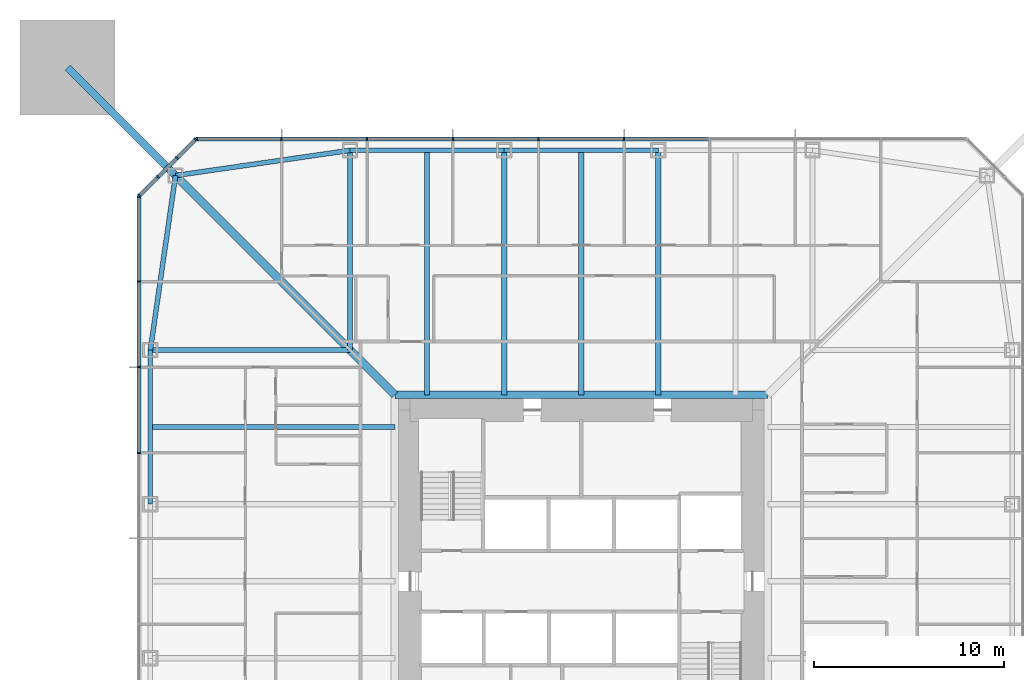
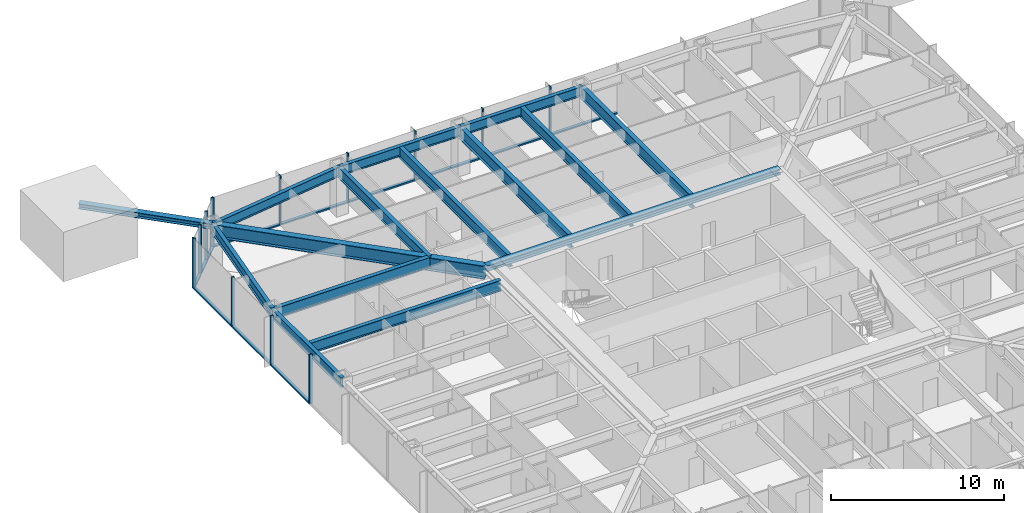
# One storey, part 6 of 26: 27 members, 14 beams, 3 elements without a shape of their own.
"""IFC4 building model written with IfcOpenShell, lengths in metres."""

import ifcopenshell
import ifcopenshell.guid

model = None  # the IFC model being written
_history = None  # IfcOwnerHistory: only IFC2X3 demands one
_inside = {}  # id of a spatial element -> (the spatial element, [elements in it])
_under = {}  # id of a project, library or spatial element -> (it, [spatial elements below it])
_declared = {}  # id of a project -> (the project, [libraries it declares])
_typed = {}  # id of a type object -> (the type object, [elements of that type])
_made_of = {}  # id of a material, layer set ... -> (it, [elements and type objects made of it])


def new_model(schema):
    """Start an empty IFC model of exactly this schema.

    Asked for "IFC4X3", IfcOpenShell would pick the latest addendum, in which some entities
    have other attributes; the version numbers below select the first issue.
    IFC2X3 requires an IfcOwnerHistory on every rooted entity: one is made here for all.
    """
    global model, _history
    if schema == "IFC4X3":
        model = ifcopenshell.file(schema_version=(4, 3, 0, 0))
    else:
        model = ifcopenshell.file(schema=schema)
    _inside.clear()
    _under.clear()
    _declared.clear()
    _typed.clear()
    _made_of.clear()
    _history = None
    if model.schema == "IFC2X3":
        org = make("IfcOrganization", Name="unknown")
        user = make(
            "IfcPersonAndOrganization",
            ThePerson=make("IfcPerson", FamilyName="unknown"),
            TheOrganization=org,
        )
        app = make(
            "IfcApplication",
            ApplicationDeveloper=org,
            Version="unknown",
            ApplicationFullName="unknown",
            ApplicationIdentifier="unknown",
        )
        _history = make(
            "IfcOwnerHistory",
            OwningUser=user,
            OwningApplication=app,
            ChangeAction="ADDED",
            CreationDate=0,
        )
    return model


def make(cls, **values):
    """One entity of the class cls with the attributes given. An attribute that is None is left unset."""
    return model.create_entity(
        cls, **{name: value for name, value in values.items() if value is not None}
    )


def rooted(cls, **values):
    """An entity with a GlobalId (a new one), such as an element, a storey or a relation."""
    return make(cls, GlobalId=ifcopenshell.guid.new(), OwnerHistory=_history, **values)


def si_unit(unit_type, name, prefix=None):
    """IfcSIUnit, for example si_unit("LENGTHUNIT", "METRE", prefix="MILLI")."""
    return make("IfcSIUnit", UnitType=unit_type, Prefix=prefix, Name=name)


def assignment(units):
    """IfcUnitAssignment: the units of a project."""
    return None if units is None else make("IfcUnitAssignment", Units=units)


def point(xyz):
    """IfcCartesianPoint."""
    return None if xyz is None else make("IfcCartesianPoint", Coordinates=xyz)


def direction(xyz):
    """IfcDirection."""
    return None if xyz is None else make("IfcDirection", DirectionRatios=xyz)


def frame(location, z_axis=None, x_axis=None):
    """IfcAxis2Placement3D, a coordinate frame: its origin and axes. An axis left out is left unset."""
    return make(
        "IfcAxis2Placement3D",
        Location=point(location),
        Axis=direction(z_axis),
        RefDirection=direction(x_axis),
    )


def frame_2d(location, x_axis=None):
    """IfcAxis2Placement2D, a coordinate frame in the plane: its origin and x axis."""
    return make(
        "IfcAxis2Placement2D", Location=point(location), RefDirection=direction(x_axis)
    )


def origin():
    """The frame at (0, 0, 0) with its axes left unset."""
    return frame((0.0, 0.0, 0.0))


def origin_2d():
    """The frame at (0, 0) in the plane with its x axis left unset."""
    return frame_2d((0.0, 0.0))


def place(relative_to, where):
    """IfcLocalPlacement: puts the frame where relative to a parent placement (None: the world)."""
    return make(
        "IfcLocalPlacement", PlacementRelTo=relative_to, RelativePlacement=where
    )


def context(
    kind, dimensions, precision=None, world=None, true_north=None, identifier=None
):
    """IfcGeometricRepresentationContext, for example the 3D "Model" context."""
    return make(
        "IfcGeometricRepresentationContext",
        ContextIdentifier=identifier,
        ContextType=kind,
        CoordinateSpaceDimension=dimensions,
        Precision=precision,
        WorldCoordinateSystem=world,
        TrueNorth=true_north,
    )


def subcontext(parent, identifier, kind, view, scale=None):
    """IfcGeometricRepresentationSubContext, for example "Body" below "Model"."""
    return make(
        "IfcGeometricRepresentationSubContext",
        ContextIdentifier=identifier,
        ContextType=kind,
        ParentContext=parent,
        TargetScale=scale,
        TargetView=view,
    )


def project(units=None, contexts=None):
    """IfcProject with its units and contexts."""
    return rooted(
        "IfcProject",
        Name="project",
        RepresentationContexts=contexts,
        UnitsInContext=assignment(units),
    )


def spatial(cls, under=None, at=None, **own):
    """A site, building, storey or space (cls), placed at a placement, below another one or the project."""
    s = rooted(cls, ObjectPlacement=at, **own)
    if under is not None:
        _under.setdefault(under.id(), (under, []))[1].append(s)
    return s


def profile(cls, at=None, kind="AREA", **sizes):
    """A parametric profile (cls). Its sizes go by their IFC names, for example OverallWidth=200.0."""
    return make(cls, ProfileType=kind, Position=at, **sizes)


def rectangle(**sizes):
    """IfcRectangleProfileDef."""
    return profile("IfcRectangleProfileDef", **sizes)


def i_section(**sizes):
    """IfcIShapeProfileDef."""
    return profile("IfcIShapeProfileDef", **sizes)


def extrude(swept, where, along, depth):
    """IfcExtrudedAreaSolid: the profile swept, set in the frame where, extruded along a direction by depth."""
    return make(
        "IfcExtrudedAreaSolid",
        SweptArea=swept,
        Position=where,
        ExtrudedDirection=direction(along),
        Depth=depth,
    )


def shape(context_of_items, identifier, shape_type, items):
    """IfcShapeRepresentation: the items that make up one representation, for example the "Body"."""
    return make(
        "IfcShapeRepresentation",
        ContextOfItems=context_of_items,
        RepresentationIdentifier=identifier,
        RepresentationType=shape_type,
        Items=items,
    )


def material(Name=None, Category=None):
    """IfcMaterial."""
    return make("IfcMaterial", Name=Name, Category=Category)


def material_profile(
    of_material, cross_section, Name=None, Category=None, Priority=None
):
    """IfcMaterialProfile: a cross section and its material."""
    return make(
        "IfcMaterialProfile",
        Name=Name,
        Material=of_material,
        Profile=cross_section,
        Priority=Priority,
        Category=Category,
    )


def profile_set(profiles, Name=None, composite=None):
    """IfcMaterialProfileSet."""
    return make(
        "IfcMaterialProfileSet",
        Name=Name,
        MaterialProfiles=profiles,
        CompositeProfile=composite,
    )


def made_of(thing, what):
    """Note that an element or type object is made of a material, layer set ...; save() writes the relation."""
    if what is not None:
        _made_of.setdefault(what.id(), (what, []))[1].append(thing)
    return thing


def type_object(cls, material=None, **own):
    """A type object (cls), such as IfcWallType, which elements share."""
    return made_of(rooted(cls, **own), material)


def element(
    cls,
    number,
    at=None,
    inside=None,
    cuts=None,
    type_object=None,
    material=None,
    context=None,
    identifier="Body",
    shape_type=None,
    held_by="IfcProductDefinitionShape",
    body=None,
    shapes=None,
    **own,
):
    """One element of the class cls, such as IfcWall. Its Tag is "e" and its number.

    at: its placement. inside: the storey or other place that contains it. cuts: it is an
    opening in that element (IfcRelVoidsElement). A single representation is given by context,
    identifier, shape_type and body (its items); several are given by shapes. held_by: the class
    of the entity that holds the representations. save() writes the other relations.
    """
    e = rooted(cls, Tag="e%d" % number, ObjectPlacement=at, **own)
    if body is not None:
        shapes = [shape(context, identifier, shape_type, body)]
    if shapes is not None:
        e.Representation = make(held_by, Representations=shapes)
    if inside is not None:
        _inside.setdefault(inside.id(), (inside, []))[1].append(e)
    if cuts is not None:
        rooted(
            "IfcRelVoidsElement", RelatingBuildingElement=cuts, RelatedOpeningElement=e
        )
    if type_object is not None:
        _typed.setdefault(type_object.id(), (type_object, []))[1].append(e)
    return made_of(e, material)


def aggregate(whole, parts):
    """IfcRelAggregates: a whole, such as a stair, and the parts it consists of."""
    return rooted("IfcRelAggregates", RelatingObject=whole, RelatedObjects=parts)


def save(model, path):
    """Write the relations noted so far, then the file.

    IfcRelAggregates (storeys below a building ...), IfcRelContainedInSpatialStructure (elements
    in a storey), IfcRelDefinesByType, IfcRelAssociatesMaterial and IfcRelDeclares: one each for
    every whole, place, type object, material and project.
    """
    for whole, parts in _under.values():
        aggregate(whole, parts)
    for where, things in _inside.values():
        rooted(
            "IfcRelContainedInSpatialStructure",
            RelatedElements=things,
            RelatingStructure=where,
        )
    for kind, things in _typed.values():
        rooted("IfcRelDefinesByType", RelatedObjects=things, RelatingType=kind)
    for what, things in _made_of.values():
        rooted("IfcRelAssociatesMaterial", RelatedObjects=things, RelatingMaterial=what)
    for by, libraries in _declared.values():
        rooted("IfcRelDeclares", RelatingContext=by, RelatedDefinitions=libraries)
    model.write(path)


model = new_model("IFC4")

# Units and contexts
model_context = context("Model", 3, precision=1e-05, world=origin(), true_north=direction((0.0, 1.0)))
body_context = subcontext(model_context, "Body", "Model", "MODEL_VIEW")
ifc_project = project(units=[si_unit("LENGTHUNIT", "METRE"), si_unit("AREAUNIT", "SQUARE_METRE"), si_unit("VOLUMEUNIT", "CUBIC_METRE"), si_unit("PLANEANGLEUNIT", "RADIAN"), si_unit("MASSUNIT", "GRAM", prefix="KILO")], contexts=[model_context])

# Site, building, storey
site_placement = place(None, origin())
site = spatial("IfcSite", under=ifc_project, at=site_placement, CompositionType="ELEMENT")
building_placement = place(site_placement, origin())
building = spatial("IfcBuilding", under=site, at=building_placement, Name="Iwan Alto Co-Living Towers", CompositionType="ELEMENT")
storey_placement = place(building_placement, frame((0.0, 0.0, 36.0)))
storey = spatial("IfcBuildingStorey", under=building, at=storey_placement, Name="L09", CompositionType="ELEMENT", Elevation=36.0)

# Curtain wall, members
ifc_material_1 = material(Name="Bronze aluminium unitised frame", Category="aluminium")
curtain_wall_type_1 = type_object("IfcCurtainWallType", Name="CURTAIN WALL CW-A", PredefinedType="NOTDEFINED", material=ifc_material_1)
curtain_wall_1_placement = place(storey_placement, origin())
curtain_wall_1 = element("IfcCurtainWall", 1, at=curtain_wall_1_placement, inside=storey, type_object=curtain_wall_type_1, Name="T1 curtain wall N L09", PredefinedType="NOTDEFINED")
ifc_material_2 = material(Name="Aluminium 6063-T6 bronze anodised", Category="aluminium")
ifc_material_profile_1 = material_profile(ifc_material_2, rectangle(XDim=0.199951171875, YDim=0.080078125, at=origin_2d()), Name="AL 80X200")
ifc_profile_set_1 = profile_set([ifc_material_profile_1], Name="Aluminium 6063-T6 bronze anodised")
member_type_1 = type_object("IfcMemberType", Name="CW-A MULLION 80X200", PredefinedType="MULLION", material=ifc_profile_set_1)
member_1_placement = place(storey_placement, frame((2.25, 23.25, 0.0), z_axis=(0.0, 0.0, 1.0), x_axis=(0.0, -1.0, 0.0)))
member_1 = element("IfcMember", 2, at=member_1_placement, type_object=member_type_1, Name="CW-A mullion 5", PredefinedType="MULLION", context=body_context, shape_type="SweptSolid", body=[
    extrude(rectangle(XDim=0.199951171875, YDim=0.080078125, at=origin_2d()), origin(), (0.0, 0.0, 1.0), 3.5),
])
member_2_placement = place(storey_placement, frame((-2.25, 23.25, 0.0), z_axis=(0.0, 0.0, 1.0), x_axis=(0.0, -1.0, 0.0)))
member_2 = element("IfcMember", 3, at=member_2_placement, type_object=member_type_1, Name="CW-A mullion 6", PredefinedType="MULLION", context=body_context, shape_type="SweptSolid", body=[
    extrude(rectangle(XDim=0.199951171875, YDim=0.080078125, at=origin_2d()), origin(), (0.0, 0.0, 1.0), 3.5),
])
member_3_placement = place(storey_placement, frame((-6.75, 23.25, 0.0), z_axis=(0.0, 0.0, 1.0), x_axis=(0.0, -1.0, 0.0)))
member_3 = element("IfcMember", 4, at=member_3_placement, type_object=member_type_1, Name="CW-A mullion 7", PredefinedType="MULLION", context=body_context, shape_type="SweptSolid", body=[
    extrude(rectangle(XDim=0.199951171875, YDim=0.080078125, at=origin_2d()), origin(), (0.0, 0.0, 1.0), 3.5),
])
member_4_placement = place(storey_placement, frame((-11.25, 23.25, 0.0), z_axis=(0.0, 0.0, 1.0), x_axis=(0.0, -1.0, 0.0)))
member_4 = element("IfcMember", 5, at=member_4_placement, type_object=member_type_1, Name="CW-A mullion 8", PredefinedType="MULLION", context=body_context, shape_type="SweptSolid", body=[
    extrude(rectangle(XDim=0.199951171875, YDim=0.080078125, at=origin_2d()), origin(), (0.0, 0.0, 1.0), 3.5),
])
member_5_placement = place(storey_placement, frame((-15.75, 23.25, 0.0), z_axis=(0.0, 0.0, 1.0), x_axis=(0.0, -1.0, 0.0)))
member_5 = element("IfcMember", 6, at=member_5_placement, type_object=member_type_1, Name="CW-A mullion 9", PredefinedType="MULLION", context=body_context, shape_type="SweptSolid", body=[
    extrude(rectangle(XDim=0.199951171875, YDim=0.080078125, at=origin_2d()), origin(), (0.0, 0.0, 1.0), 3.5),
])
member_6_placement = place(storey_placement, frame((-20.2099609375, 23.25, 0.0), z_axis=(0.0, 0.0, 1.0), x_axis=(0.0, -1.0, 0.0)))
member_6 = element("IfcMember", 7, at=member_6_placement, type_object=member_type_1, Name="CW-A mullion 10", PredefinedType="MULLION", context=body_context, shape_type="SweptSolid", body=[
    extrude(rectangle(XDim=0.199951171875, YDim=0.080078125, at=origin_2d()), origin(), (0.0, 0.0, 1.0), 3.5),
])

curtain_wall_2_placement = place(storey_placement, origin())
curtain_wall_2 = element("IfcCurtainWall", 8, at=curtain_wall_2_placement, inside=storey, type_object=curtain_wall_type_1, Name="T1 curtain wall W L09", PredefinedType="NOTDEFINED")
member_7_placement = place(storey_placement, frame((-23.25, 20.2099609375, 0.0), z_axis=(0.0, 0.0, 1.0), x_axis=(1.0, 0.0, 0.0)))
member_7 = element("IfcMember", 9, at=member_7_placement, type_object=member_type_1, Name="CW-A mullion 1", PredefinedType="MULLION", context=body_context, shape_type="SweptSolid", body=[
    extrude(rectangle(XDim=0.199951171875, YDim=0.080078125, at=origin_2d()), origin(), (0.0, 0.0, 1.0), 3.5),
])
member_8_placement = place(storey_placement, frame((-23.25, 15.75, 0.0), z_axis=(0.0, 0.0, 1.0), x_axis=(1.0, 0.0, 0.0)))
member_8 = element("IfcMember", 10, at=member_8_placement, type_object=member_type_1, Name="CW-A mullion 2", PredefinedType="MULLION", context=body_context, shape_type="SweptSolid", body=[
    extrude(rectangle(XDim=0.199951171875, YDim=0.080078125, at=origin_2d()), origin(), (0.0, 0.0, 1.0), 3.5),
])
member_9_placement = place(storey_placement, frame((-23.25, 11.25, 0.0), z_axis=(0.0, 0.0, 1.0), x_axis=(1.0, 0.0, 0.0)))
member_9 = element("IfcMember", 11, at=member_9_placement, type_object=member_type_1, Name="CW-A mullion 3", PredefinedType="MULLION", context=body_context, shape_type="SweptSolid", body=[
    extrude(rectangle(XDim=0.199951171875, YDim=0.080078125, at=origin_2d()), origin(), (0.0, 0.0, 1.0), 3.5),
])
member_10_placement = place(storey_placement, frame((-23.25, 6.75, 0.0), z_axis=(0.0, 0.0, 1.0), x_axis=(1.0, 0.0, 0.0)))
member_10 = element("IfcMember", 12, at=member_10_placement, type_object=member_type_1, Name="CW-A mullion 4", PredefinedType="MULLION", context=body_context, shape_type="SweptSolid", body=[
    extrude(rectangle(XDim=0.199951171875, YDim=0.080078125, at=origin_2d()), origin(), (0.0, 0.0, 1.0), 3.5),
])

# Member
ifc_material_3 = material(Name="Aluminium 6063-T6 bronze anodised", Category="aluminium")
ifc_material_profile_2 = material_profile(ifc_material_3, rectangle(XDim=0.199951171875, YDim=0.10009765625, at=origin_2d()), Name="AL 200X100")
ifc_profile_set_2 = profile_set([ifc_material_profile_2], Name="Aluminium 6063-T6 bronze anodised")
member_type_2 = type_object("IfcMemberType", Name="CW-A TRANSOM 200X100", PredefinedType="USERDEFINED", material=ifc_profile_set_2)
member_11_placement = place(storey_placement, frame((6.7099609375, 23.25, 0.050048828125), z_axis=(-1.0, 0.0, 0.0), x_axis=(0.0, -1.0, 0.0)))
member_11 = element("IfcMember", 13, at=member_11_placement, type_object=member_type_2, Name="CW-A transom 4.1", ObjectType="TRANSOM", PredefinedType="USERDEFINED", context=body_context, shape_type="SweptSolid", body=[
    extrude(rectangle(XDim=0.199951171875, YDim=0.10009765625, at=origin_2d()), origin(), (0.0, 0.0, 1.0), 4.419921875),
])

member_12_placement = place(storey_placement, frame((2.2099609375, 23.25, 0.050048828125), z_axis=(-1.0, 0.0, 0.0), x_axis=(0.0, -1.0, 0.0)))
member_12 = element("IfcMember", 14, at=member_12_placement, type_object=member_type_2, Name="CW-A transom 5.1", ObjectType="TRANSOM", PredefinedType="USERDEFINED", context=body_context, shape_type="SweptSolid", body=[
    extrude(rectangle(XDim=0.199951171875, YDim=0.10009765625, at=origin_2d()), origin(), (0.0, 0.0, 1.0), 4.419921875),
])

member_13_placement = place(storey_placement, frame((-2.2900390625, 23.25, 0.050048828125), z_axis=(-1.0, 0.0, 0.0), x_axis=(0.0, -1.0, 0.0)))
member_13 = element("IfcMember", 15, at=member_13_placement, type_object=member_type_2, Name="CW-A transom 6.1", ObjectType="TRANSOM", PredefinedType="USERDEFINED", context=body_context, shape_type="SweptSolid", body=[
    extrude(rectangle(XDim=0.199951171875, YDim=0.10009765625, at=origin_2d()), origin(), (0.0, 0.0, 1.0), 4.419921875),
])

member_14_placement = place(storey_placement, frame((-6.7900390625, 23.25, 0.050048828125), z_axis=(-1.0, 0.0, 0.0), x_axis=(0.0, -1.0, 0.0)))
member_14 = element("IfcMember", 16, at=member_14_placement, type_object=member_type_2, Name="CW-A transom 7.1", ObjectType="TRANSOM", PredefinedType="USERDEFINED", context=body_context, shape_type="SweptSolid", body=[
    extrude(rectangle(XDim=0.199951171875, YDim=0.10009765625, at=origin_2d()), origin(), (0.0, 0.0, 1.0), 4.419921875),
])

member_15_placement = place(storey_placement, frame((-11.2900390625, 23.25, 0.050048828125), z_axis=(-1.0, 0.0, 0.0), x_axis=(0.0, -1.0, 0.0)))
member_15 = element("IfcMember", 17, at=member_15_placement, type_object=member_type_2, Name="CW-A transom 8.1", ObjectType="TRANSOM", PredefinedType="USERDEFINED", context=body_context, shape_type="SweptSolid", body=[
    extrude(rectangle(XDim=0.199951171875, YDim=0.10009765625, at=origin_2d()), origin(), (0.0, 0.0, 1.0), 4.419921875),
])

member_16_placement = place(storey_placement, frame((-15.7900390625, 23.25, 0.050048828125), z_axis=(-1.0, 0.0, 0.0), x_axis=(0.0, -1.0, 0.0)))
member_16 = element("IfcMember", 18, at=member_16_placement, type_object=member_type_2, Name="CW-A transom 9.1", ObjectType="TRANSOM", PredefinedType="USERDEFINED", context=body_context, shape_type="SweptSolid", body=[
    extrude(rectangle(XDim=0.199951171875, YDim=0.10009765625, at=origin_2d()), origin(), (0.0, 0.0, 1.0), 4.3798828125),
])

aggregate(curtain_wall_1, [member_1, member_2, member_3, member_4, member_5, member_6, member_11, member_12, member_13, member_14, member_15, member_16])

member_17_placement = place(storey_placement, frame((-23.25, 20.169921875, 0.050048828125), z_axis=(0.0, -1.0, 0.0), x_axis=(1.0, 0.0, 0.0)))
member_17 = element("IfcMember", 19, at=member_17_placement, type_object=member_type_2, Name="CW-A transom 1.1", ObjectType="TRANSOM", PredefinedType="USERDEFINED", context=body_context, shape_type="SweptSolid", body=[
    extrude(rectangle(XDim=0.199951171875, YDim=0.10009765625, at=origin_2d()), origin(), (0.0, 0.0, 1.0), 4.3798828125),
])

member_18_placement = place(storey_placement, frame((-23.25, 15.7099609375, 0.050048828125), z_axis=(0.0, -1.0, 0.0), x_axis=(1.0, 0.0, 0.0)))
member_18 = element("IfcMember", 20, at=member_18_placement, type_object=member_type_2, Name="CW-A transom 2.1", ObjectType="TRANSOM", PredefinedType="USERDEFINED", context=body_context, shape_type="SweptSolid", body=[
    extrude(rectangle(XDim=0.199951171875, YDim=0.10009765625, at=origin_2d()), origin(), (0.0, 0.0, 1.0), 4.419921875),
])

member_19_placement = place(storey_placement, frame((-23.25, 11.2099609375, 0.050048828125), z_axis=(0.0, -1.0, 0.0), x_axis=(1.0, 0.0, 0.0)))
member_19 = element("IfcMember", 21, at=member_19_placement, type_object=member_type_2, Name="CW-A transom 3.1", ObjectType="TRANSOM", PredefinedType="USERDEFINED", context=body_context, shape_type="SweptSolid", body=[
    extrude(rectangle(XDim=0.199951171875, YDim=0.10009765625, at=origin_2d()), origin(), (0.0, 0.0, 1.0), 4.419921875),
])

aggregate(curtain_wall_2, [member_7, member_8, member_9, member_10, member_17, member_18, member_19])

# Curtain wall, members
ifc_material_4 = material(Name="Bronze aluminium unitised frame", Category="aluminium")
curtain_wall_type_2 = type_object("IfcCurtainWallType", Name="CURTAIN WALL CW-B", PredefinedType="NOTDEFINED", material=ifc_material_4)
curtain_wall_3_placement = place(storey_placement, origin())
curtain_wall_3 = element("IfcCurtainWall", 22, at=curtain_wall_3_placement, inside=storey, type_object=curtain_wall_type_2, Name="T1 chamfer curtain wall NW L09", PredefinedType="NOTDEFINED")
ifc_material_5 = material(Name="Aluminium 6063-T6 bronze anodised", Category="aluminium")
ifc_material_profile_3 = material_profile(ifc_material_5, rectangle(XDim=0.199951171875, YDim=0.080078125, at=origin_2d()), Name="AL 80X200")
ifc_profile_set_3 = profile_set([ifc_material_profile_3], Name="Aluminium 6063-T6 bronze anodised")
member_type_3 = type_object("IfcMemberType", Name="CW-B MULLION 80X200", PredefinedType="MULLION", material=ifc_profile_set_3)
member_20_placement = place(storey_placement, frame((-20.2783203125, 23.2216796875, 0.0), z_axis=(0.0, 0.0, 1.0), x_axis=(0.707106781187, -0.707106781187, 0.0)))
member_20 = element("IfcMember", 23, at=member_20_placement, type_object=member_type_3, Name="CW-B mullion 1", PredefinedType="MULLION", context=body_context, shape_type="SweptSolid", body=[
    extrude(rectangle(XDim=0.199951171875, YDim=0.080078125, at=origin_2d()), origin(), (0.0, 0.0, 1.0), 3.5),
])
member_21_placement = place(storey_placement, frame((-21.25, 22.25, 0.0), z_axis=(0.0, 0.0, 1.0), x_axis=(0.707106781187, -0.707106781187, 0.0)))
member_21 = element("IfcMember", 24, at=member_21_placement, type_object=member_type_3, Name="CW-B mullion 2", PredefinedType="MULLION", context=body_context, shape_type="SweptSolid", body=[
    extrude(rectangle(XDim=0.199951171875, YDim=0.080078125, at=origin_2d()), origin(), (0.0, 0.0, 1.0), 3.5),
])
member_22_placement = place(storey_placement, frame((-22.25, 21.25, 0.0), z_axis=(0.0, 0.0, 1.0), x_axis=(0.707106781187, -0.707106781187, 0.0)))
member_22 = element("IfcMember", 25, at=member_22_placement, type_object=member_type_3, Name="CW-B mullion 3", PredefinedType="MULLION", context=body_context, shape_type="SweptSolid", body=[
    extrude(rectangle(XDim=0.199951171875, YDim=0.080078125, at=origin_2d()), origin(), (0.0, 0.0, 1.0), 3.5),
])
member_23_placement = place(storey_placement, frame((-23.2216796875, 20.2783203125, 0.0), z_axis=(0.0, 0.0, 1.0), x_axis=(0.707106781187, -0.707106781187, 0.0)))
member_23 = element("IfcMember", 26, at=member_23_placement, type_object=member_type_3, Name="CW-B mullion 4", PredefinedType="MULLION", context=body_context, shape_type="SweptSolid", body=[
    extrude(rectangle(XDim=0.199951171875, YDim=0.080078125, at=origin_2d()), origin(), (0.0, 0.0, 1.0), 3.5),
])
ifc_material_6 = material(Name="Aluminium 6063-T6 bronze anodised", Category="aluminium")
ifc_material_profile_4 = material_profile(ifc_material_6, rectangle(XDim=0.199951171875, YDim=0.10009765625, at=origin_2d()), Name="AL 200X100")
ifc_profile_set_4 = profile_set([ifc_material_profile_4], Name="Aluminium 6063-T6 bronze anodised")
member_type_4 = type_object("IfcMemberType", Name="CW-B TRANSOM 200X100", PredefinedType="USERDEFINED", material=ifc_profile_set_4)
member_24_placement = place(storey_placement, frame((-20.306640625, 23.193359375, 0.050048828125), z_axis=(-0.707106781187, -0.707106781187, 0.0), x_axis=(0.707106781187, -0.707106781187, 0.0)))
member_24 = element("IfcMember", 27, at=member_24_placement, type_object=member_type_4, Name="CW-B transom 1.1", ObjectType="TRANSOM", PredefinedType="USERDEFINED", context=body_context, shape_type="SweptSolid", body=[
    extrude(rectangle(XDim=0.199951171875, YDim=0.10009765625, at=origin_2d()), origin(), (0.0, 0.0, 1.0), 1.2939453125),
])
member_25_placement = place(storey_placement, frame((-21.2783203125, 22.2216796875, 0.050048828125), z_axis=(-0.707106781187, -0.707106781187, 0.0), x_axis=(0.707106781187, -0.707106781187, 0.0)))
member_25 = element("IfcMember", 28, at=member_25_placement, type_object=member_type_4, Name="CW-B transom 2.1", ObjectType="TRANSOM", PredefinedType="USERDEFINED", context=body_context, shape_type="SweptSolid", body=[
    extrude(rectangle(XDim=0.199951171875, YDim=0.10009765625, at=origin_2d()), origin(), (0.0, 0.0, 1.0), 1.334228515625),
])
member_26_placement = place(storey_placement, frame((-22.2783203125, 21.2216796875, 0.050048828125), z_axis=(-0.707106781187, -0.707106781187, 0.0), x_axis=(0.707106781187, -0.707106781187, 0.0)))
member_26 = element("IfcMember", 29, at=member_26_placement, type_object=member_type_4, Name="CW-B transom 3.1", ObjectType="TRANSOM", PredefinedType="USERDEFINED", context=body_context, shape_type="SweptSolid", body=[
    extrude(rectangle(XDim=0.199951171875, YDim=0.10009765625, at=origin_2d()), origin(), (0.0, 0.0, 1.0), 1.2939453125),
])
aggregate(curtain_wall_3, [member_20, member_21, member_22, member_23, member_24, member_25, member_26])

# Beams
ifc_material_7 = material(Name="Steel ASTM A992 Gr 50", Category="steel")
ifc_material_profile_5 = material_profile(ifc_material_7, i_section(OverallWidth=0.40380859375, OverallDepth=0.406494140625, WebThickness=0.027099609375, FlangeThickness=0.043701171875, at=origin_2d()), Name="W14X233")
ifc_profile_set_5 = profile_set([ifc_material_profile_5], Name="Steel ASTM A992 Gr 50")
beam_type_1 = type_object("IfcBeamType", Name="T1 CORE LEDGER BEAM W14X233", PredefinedType="BEAM", material=ifc_profile_set_5)
beam_1_placement = place(storey_placement, frame((9.802001953125, 9.802001953125, 3.06689453125), z_axis=(-1.0, 0.0, 0.0), x_axis=(0.0, -1.0, 0.0)))
element("IfcBeam", 30, at=beam_1_placement, inside=storey, type_object=beam_type_1, Name="T1 core ledger beam N L10", PredefinedType="BEAM", context=body_context, shape_type="SweptSolid", body=[
    extrude(i_section(OverallWidth=0.40380859375, OverallDepth=0.406494140625, WebThickness=0.027099609375, FlangeThickness=0.043701171875, at=origin_2d()), origin(), (0.0, 0.0, 1.0), 19.60400390625),
])
ifc_material_8 = material(Name="Steel ASTM A992 Gr 50", Category="steel")
ifc_material_profile_6 = material_profile(ifc_material_8, i_section(OverallWidth=0.419189453125, OverallDepth=0.927001953125, WebThickness=0.019287109375, FlangeThickness=0.031982421875, at=origin_2d()), Name="W36X231")
ifc_profile_set_6 = profile_set([ifc_material_profile_6], Name="Steel ASTM A992 Gr 50")
beam_type_2 = type_object("IfcBeamType", Name="T1 CORNER GIRDER W36X231", PredefinedType="BEAM", material=ifc_profile_set_6)
beam_2_placement = place(storey_placement, frame((-21.32568359375, 21.32568359375, 2.806396484375), z_axis=(0.707106781187, -0.707106781187, 0.0), x_axis=(0.707106781187, 0.707106781187, 0.0)))
element("IfcBeam", 31, at=beam_2_placement, inside=storey, type_object=beam_type_2, Name="T1 corner girder CNW L10", PredefinedType="BEAM", context=body_context, shape_type="SweptSolid", body=[
    extrude(i_section(OverallWidth=0.419189453125, OverallDepth=0.927001953125, WebThickness=0.019287109375, FlangeThickness=0.031982421875, at=origin_2d()), origin(), (0.0, 0.0, 1.0), 16.296875),
])
ifc_material_9 = material(Name="Steel ASTM A992 Gr 50", Category="steel")
ifc_material_profile_7 = material_profile(ifc_material_9, i_section(OverallWidth=0.25390625, OverallDepth=0.683349609375, WebThickness=0.012451171875, FlangeThickness=0.018798828125, at=origin_2d()), Name="W27X94")
ifc_profile_set_7 = profile_set([ifc_material_profile_7], Name="Steel ASTM A992 Gr 50")
beam_type_3 = type_object("IfcBeamType", Name="T1 EDGE BEAM W27X94", PredefinedType="BEAM", material=ifc_profile_set_7)
beam_3_placement = place(storey_placement, frame((4.050048828125, 22.64990234375, 2.928466796875), z_axis=(-1.0, 0.0, 0.0), x_axis=(0.0, -1.0, 0.0)))
element("IfcBeam", 32, at=beam_3_placement, inside=storey, type_object=beam_type_3, Name="T1 edge beam N2 L10", PredefinedType="BEAM", context=body_context, shape_type="SweptSolid", body=[
    extrude(i_section(OverallWidth=0.25390625, OverallDepth=0.683349609375, WebThickness=0.012451171875, FlangeThickness=0.018798828125, at=origin_2d()), origin(), (0.0, 0.0, 1.0), 8.10009765625),
])
beam_4_placement = place(storey_placement, frame((-4.050048828125, 22.64990234375, 2.928466796875), z_axis=(-1.0, 0.0, 0.0), x_axis=(0.0, -1.0, 0.0)))
element("IfcBeam", 33, at=beam_4_placement, inside=storey, type_object=beam_type_3, Name="T1 edge beam N3 L10", PredefinedType="BEAM", context=body_context, shape_type="SweptSolid", body=[
    extrude(i_section(OverallWidth=0.25390625, OverallDepth=0.683349609375, WebThickness=0.012451171875, FlangeThickness=0.018798828125, at=origin_2d()), origin(), (0.0, 0.0, 1.0), 8.099853515625),
])
for number, where, z_axis, x_axis, name in (
    (34, (-12.14990234375, 22.64990234375, 2.928466796875), (-0.989746234347, -0.142836940589, 0.0), (0.142836940589, -0.989746234347, 0.0), "T1 edge beam N4 L10"),
    (35, (-21.32568359375, 21.32568359375, 2.928466796875), (-0.142836940589, -0.989746234347, 0.0), (0.989746234347, -0.142836940589, 0.0), "T1 edge beam CNW L10"),
):
    element("IfcBeam", number, at=place(storey_placement, frame(where, z_axis=z_axis, x_axis=x_axis)), inside=storey, type_object=beam_type_3, Name=name, PredefinedType="BEAM", context=body_context, shape_type="SweptSolid", body=[
        extrude(i_section(OverallWidth=0.25390625, OverallDepth=0.683349609375, WebThickness=0.012451171875, FlangeThickness=0.018798828125, at=origin_2d()), origin(), (0.0, 0.0, 1.0), 9.270751953125),
    ])
beam_5_placement = place(storey_placement, frame((-22.64990234375, 12.14990234375, 2.928466796875), z_axis=(0.0, -1.0, 0.0), x_axis=(1.0, 0.0, 0.0)))
element("IfcBeam", 36, at=beam_5_placement, inside=storey, type_object=beam_type_3, Name="T1 edge beam W1 L10", PredefinedType="BEAM", context=body_context, shape_type="SweptSolid", body=[
    extrude(i_section(OverallWidth=0.25390625, OverallDepth=0.683349609375, WebThickness=0.012451171875, FlangeThickness=0.018798828125, at=origin_2d()), origin(), (0.0, 0.0, 1.0), 8.099853515625),
])

# Member
ifc_material_10 = material(Name="Steel ASTM A992 Gr 50", Category="steel")
ifc_material_profile_8 = material_profile(ifc_material_10, i_section(OverallWidth=0.393798828125, OverallDepth=0.3759765625, WebThickness=0.017333984375, FlangeThickness=0.027587890625, at=origin_2d()), Name="W14X145")
ifc_profile_set_8 = profile_set([ifc_material_profile_8], Name="Steel ASTM A992 Gr 50")
member_type_5 = type_object("IfcMemberType", Name="T1 MEGA COLUMN FLOOR TIE W14X145", PredefinedType="STRUT", material=ifc_profile_set_8)
member_27_placement = place(storey_placement, frame((-27.0, 27.0, 3.08203125), z_axis=(0.707106781187, -0.707106781187, 0.0), x_axis=(0.707106781187, 0.707106781187, 0.0)))
element("IfcMember", 37, at=member_27_placement, inside=storey, type_object=member_type_5, Name="T1 mega column floor tie NW L10", PredefinedType="STRUT", context=body_context, shape_type="SweptSolid", body=[
    extrude(i_section(OverallWidth=0.393798828125, OverallDepth=0.3759765625, WebThickness=0.017333984375, FlangeThickness=0.027587890625, at=origin_2d()), origin(), (0.0, 0.0, 1.0), 8.024658203125),
])

# Beams
ifc_material_11 = material(Name="Steel ASTM A992 Gr 50", Category="steel")
ifc_material_profile_9 = material_profile(ifc_material_11, i_section(OverallWidth=0.2666015625, OverallDepth=0.761962890625, WebThickness=0.014404296875, FlangeThickness=0.021484375, at=origin_2d()), Name="W30X116")
ifc_profile_set_9 = profile_set([ifc_material_profile_9], Name="Steel ASTM A992 Gr 50")
beam_type_4 = type_object("IfcBeamType", Name="T1 RADIAL BEAM W30X116", PredefinedType="BEAM", material=ifc_profile_set_9)
for number, where, z_axis, x_axis, name in (
    (38, (-12.14990234375, 22.64990234375, 2.888916015625), (0.0, -1.0, 0.0), (1.0, 0.0, 0.0), "T1 radial beam N4 L10"),
    (39, (-22.64990234375, 12.14990234375, 2.888916015625), (1.0, 0.0, 0.0), (0.0, 1.0, 0.0), "T1 radial beam W1 L10"),
):
    element("IfcBeam", number, at=place(storey_placement, frame(where, z_axis=z_axis, x_axis=x_axis)), inside=storey, type_object=beam_type_4, Name=name, PredefinedType="BEAM", context=body_context, shape_type="SweptSolid", body=[
        extrude(i_section(OverallWidth=0.2666015625, OverallDepth=0.761962890625, WebThickness=0.014404296875, FlangeThickness=0.021484375, at=origin_2d()), origin(), (0.0, 0.0, 1.0), 10.5),
    ])
ifc_material_12 = material(Name="Steel ASTM A992 Gr 50", Category="steel")
ifc_material_profile_10 = material_profile(ifc_material_12, i_section(OverallWidth=0.2919921875, OverallDepth=0.8408203125, WebThickness=0.0146484375, FlangeThickness=0.021728515625, at=origin_2d()), Name="W33X130")
ifc_profile_set_10 = profile_set([ifc_material_profile_10], Name="Steel ASTM A992 Gr 50")
beam_type_5 = type_object("IfcBeamType", Name="T1 RADIAL BEAM W33X130", PredefinedType="BEAM", material=ifc_profile_set_10)
for number, where, z_axis, x_axis, name in (
    (40, (4.050048828125, 22.64990234375, 2.849609375), (0.0, -1.0, 0.0), (1.0, 0.0, 0.0), "T1 radial beam N2 L10"),
    (41, (-4.050048828125, 22.64990234375, 2.849609375), (0.0, -1.0, 0.0), (1.0, 0.0, 0.0), "T1 radial beam N3 L10"),
):
    element("IfcBeam", number, at=place(storey_placement, frame(where, z_axis=z_axis, x_axis=x_axis)), inside=storey, type_object=beam_type_5, Name=name, PredefinedType="BEAM", context=body_context, shape_type="SweptSolid", body=[
        extrude(i_section(OverallWidth=0.2919921875, OverallDepth=0.8408203125, WebThickness=0.0146484375, FlangeThickness=0.021728515625, at=origin_2d()), origin(), (0.0, 0.0, 1.0), 12.847900390625),
    ])
ifc_material_13 = material(Name="Steel ASTM A992 Gr 50", Category="steel")
ifc_material_profile_11 = material_profile(ifc_material_13, i_section(OverallWidth=0.2666015625, OverallDepth=0.761962890625, WebThickness=0.014404296875, FlangeThickness=0.021484375, at=origin_2d()), Name="W30X116")
ifc_profile_set_11 = profile_set([ifc_material_profile_11], Name="Steel ASTM A992 Gr 50")
beam_type_6 = type_object("IfcBeamType", Name="T1 SECONDARY BEAM W30X116", PredefinedType="JOIST", material=ifc_profile_set_11)
for number, where, z_axis, x_axis, name in (
    (42, (0.0, 22.64990234375, 2.888916015625), (0.0, -1.0, 0.0), (1.0, 0.0, 0.0), "T1 secondary beam N2 L10"),
    (43, (-8.10009765625, 22.64990234375, 2.888916015625), (0.0, -1.0, 0.0), (1.0, 0.0, 0.0), "T1 secondary beam N3 L10"),
    (44, (-22.64990234375, 8.10009765625, 2.888916015625), (1.0, 0.0, 0.0), (0.0, 1.0, 0.0), "T1 secondary beam W1 L10"),
):
    element("IfcBeam", number, at=place(storey_placement, frame(where, z_axis=z_axis, x_axis=x_axis)), inside=storey, type_object=beam_type_6, Name=name, PredefinedType="JOIST", context=body_context, shape_type="SweptSolid", body=[
        extrude(i_section(OverallWidth=0.2666015625, OverallDepth=0.761962890625, WebThickness=0.014404296875, FlangeThickness=0.021484375, at=origin_2d()), origin(), (0.0, 0.0, 1.0), 12.847900390625),
    ])

save(model, "model.ifc")
